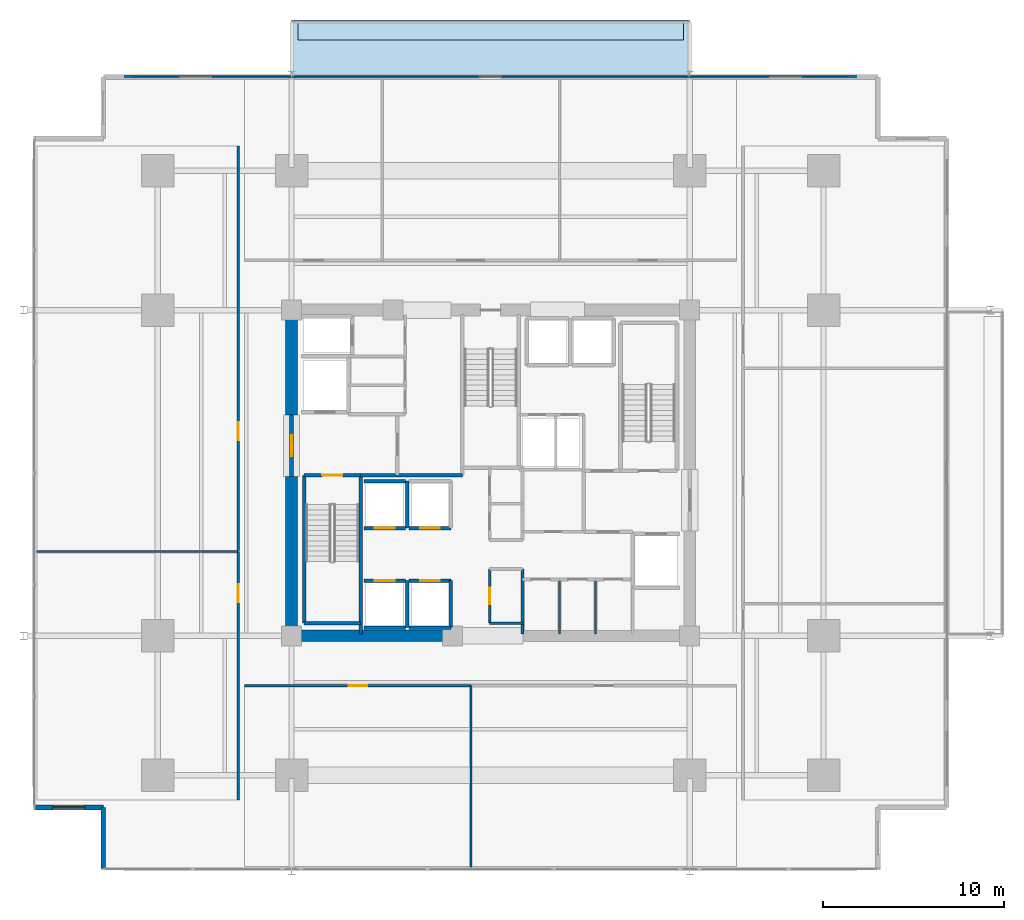
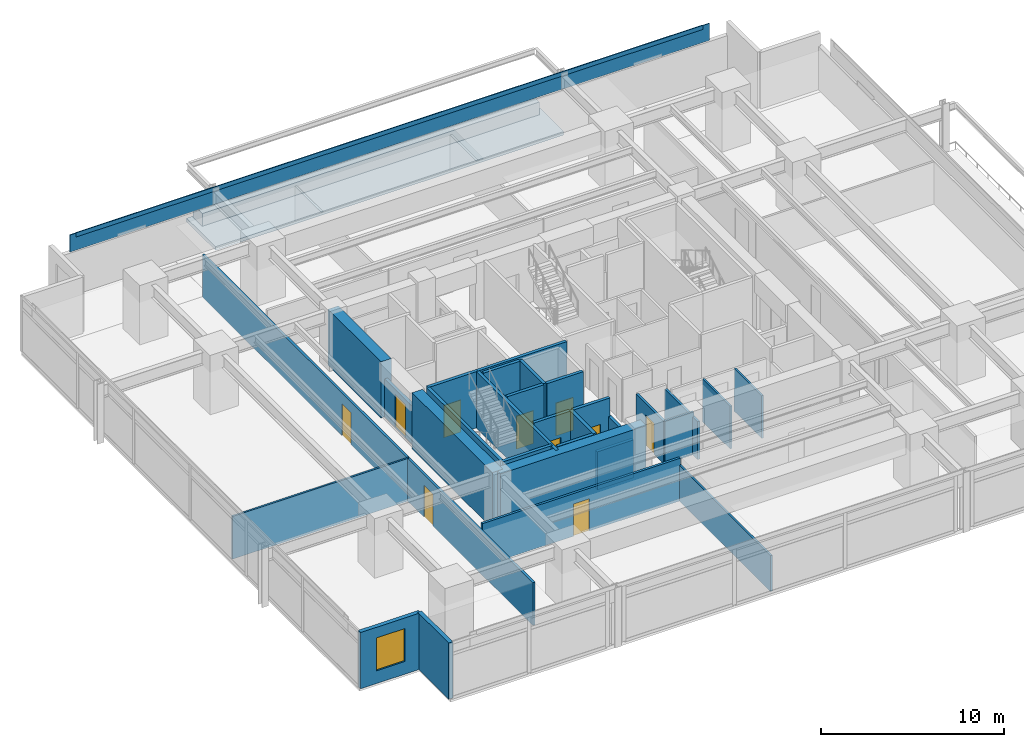
# One storey, part 13 of 20: 31 walls, 10 doors, 2 plates, 2 slabs, 1 window, 11 openings.
"""IFC4 building model written with IfcOpenShell, lengths in metres."""

from ifc_helpers import new_model, si_unit, direction, frame, frame_2d, origin, origin_2d, place, context, subcontext, project, spatial, polyline, rectangle, outline, extrude, material, layer, layer_set, type_object, element, fill, save


model = new_model("IFC4")

# Units and contexts
model_context = context("Model", 3, precision=1e-05, world=origin(), true_north=direction((0.0, 1.0)))
body_context = subcontext(model_context, "Body", "Model", "MODEL_VIEW")
ifc_project = project(units=[si_unit("LENGTHUNIT", "METRE"), si_unit("AREAUNIT", "SQUARE_METRE"), si_unit("VOLUMEUNIT", "CUBIC_METRE"), si_unit("PLANEANGLEUNIT", "RADIAN"), si_unit("MASSUNIT", "GRAM", prefix="KILO")], contexts=[model_context])

# Site, building, storey
site_placement = place(None, origin())
site = spatial("IfcSite", under=ifc_project, at=site_placement, CompositionType="ELEMENT")
building_placement = place(site_placement, origin())
building = spatial("IfcBuilding", under=site, at=building_placement, Name="Kovane Verandah Tower", CompositionType="ELEMENT")
storey_placement = place(building_placement, frame((0.0, 0.0, 39.60009765625)))
storey = spatial("IfcBuildingStorey", under=building, at=storey_placement, Name="L08", CompositionType="ELEMENT", Elevation=39.60009765625)

# Plates
ifc_material_1 = material(Name="Perforated Pale Champagne Anodised Aluminium Solar Screen", Category="aluminium")
ifc_layer_1 = layer(ifc_material_1, 0.050048828125)
ifc_layer_set_1 = layer_set([ifc_layer_1], Name="Perforated Pale Champagne Anodised Aluminium Solar Screen")
plate_type_1 = type_object("IfcPlateType", Name="PL-SCREEN-50", PredefinedType="USERDEFINED", material=ifc_layer_set_1)
plate_1_placement = place(storey_placement, frame((40.0, 49.397216796875, 2.85986328125), z_axis=(0.0, 0.0, 1.0), x_axis=(-1.0, 0.0, 0.0)))
element("IfcPlate", 1, at=plate_1_placement, inside=storey, type_object=plate_type_1, Name="L08 N Perforated Champagne-Gold Solar Screen", ObjectType="SCREEN", PredefinedType="USERDEFINED", context=body_context, shape_type="SweptSolid", body=[
    extrude(rectangle(XDim=40.406005859375, YDim=0.050048828125, at=origin_2d()), origin(), (0.0, 0.0, 1.0), 1.14990234375),
])
ifc_material_2 = material(Name="Extruded Pale-Bronze Aluminium Aerofoil Sunshade", Category="aluminium")
ifc_layer_2 = layer(ifc_material_2, 0.06005859375)
ifc_layer_set_2 = layer_set([ifc_layer_2], Name="Extruded Pale-Bronze Aluminium Aerofoil Sunshade")
plate_type_2 = type_object("IfcPlateType", Name="PL-SUNSHADE-60", PredefinedType="USERDEFINED", material=ifc_layer_set_2)
plate_2_placement = place(storey_placement, frame((40.0, 49.402099609375, 3.73974609375), z_axis=(0.0, 0.0, 1.0), x_axis=(-1.0, 0.0, 0.0)))
element("IfcPlate", 2, at=plate_2_placement, inside=storey, type_object=plate_type_2, Name="L08 N Subtropical Aerofoil Sunshade", ObjectType="SUNSHADE", PredefinedType="USERDEFINED", context=body_context, shape_type="SweptSolid", body=[
    extrude(rectangle(XDim=39.60595703125, YDim=0.06005859375, at=origin_2d()), origin(), (0.0, 0.0, 1.0), 0.280029296875),
])

# Slabs
ifc_material_3 = material(Name="Concrete C45/55", Category="concrete")
ifc_layer_3 = layer(ifc_material_3, 0.239990234375)
ifc_layer_set_3 = layer_set([ifc_layer_3], Name="Concrete C45/55")
slab_type_1 = type_object("IfcSlabType", Name="SL-BALC-240", PredefinedType="FLOOR", material=ifc_layer_set_3)
slab_1_placement = place(storey_placement, frame((0.0, 0.0, -0.239990234375)))
element("IfcSlab", 3, at=slab_1_placement, inside=storey, type_object=slab_type_1, Name="L08 N Planted Verandah Balcony Slab", PredefinedType="FLOOR", context=body_context, shape_type="SweptSolid", body=[
    extrude(outline(polyline([(29.0, 49.382080078125), (51.0, 49.382080078125), (51.0, 52.5322265625), (29.0, 52.5322265625), (29.0, 49.382080078125)])), origin(), (0.0, 0.0, 1.0), 0.239990234375),
])
ifc_material_4 = material(Name="Architectural Precast Concrete C45/55 Planter Trough", Category="concrete")
ifc_layer_4 = layer(ifc_material_4, 0.219970703125)
ifc_layer_set_4 = layer_set([ifc_layer_4], Name="Architectural Precast Concrete C45/55 Planter Trough")
slab_type_2 = type_object("IfcSlabType", Name="SL-PLANTER-220", PredefinedType="USERDEFINED", material=ifc_layer_set_4)
slab_2_placement = place(storey_placement, origin())
element("IfcSlab", 4, at=slab_2_placement, inside=storey, type_object=slab_type_2, Name="L08 N Structural Tree Planter", ObjectType="PLANTER", PredefinedType="USERDEFINED", context=body_context, shape_type="SweptSolid", body=[
    extrude(outline(polyline([(29.35009765625, 51.43212890625), (50.64990234375, 51.43212890625), (50.64990234375, 52.43212890625), (29.35009765625, 52.43212890625), (29.35009765625, 51.43212890625)])), origin(), (0.0, 0.0, 1.0), 0.849853515625),
])

# Walls
ifc_material_5 = material(Name="Fire-Rated Gypsum Stud Partition", Category="gypsum")
ifc_layer_5 = layer(ifc_material_5, 0.14990234375)
ifc_layer_set_5 = layer_set([ifc_layer_5], Name="Fire-Rated Gypsum Stud Partition")
wall_type_1 = type_object("IfcWallType", Name="WL-COR-150", PredefinedType="PARTITIONING", material=ifc_layer_set_5)
wall_1_placement = place(storey_placement, frame((39.949951171875, 19.199951171875, 0.0), z_axis=(0.0, 0.0, 1.0), x_axis=(1.0, 0.0, 0.0)))
element("IfcWall", 5, at=wall_1_placement, inside=storey, type_object=wall_type_1, Name="L08 Central Core Strip South Wall", PredefinedType="PARTITIONING", context=body_context, shape_type="SweptSolid", body=[
    extrude(rectangle(XDim=1.81005859375, YDim=0.14990234375, at=frame_2d((0.905029296875, 0.0))), origin(), (0.0, 0.0, 1.0), 2.849853515625),
])
wall_2_placement = place(storey_placement, frame((41.760009765625, 18.60009765625, 0.0), z_axis=(0.0, 0.0, 1.0), x_axis=(0.0, 1.0, 0.0)))
element("IfcWall", 6, at=wall_2_placement, inside=storey, type_object=wall_type_1, Name="L08 Central Core Strip Lower East Wall", PredefinedType="PARTITIONING", context=body_context, shape_type="SweptSolid", body=[
    extrude(rectangle(XDim=3.599853515625, YDim=0.14990234375, at=frame_2d((1.7998046875, 0.0))), origin(), (0.0, 0.0, 1.0), 2.539794921875),
])

# Wall, opening, door
wall_3_placement = place(storey_placement, frame((39.949951171875, 19.199951171875, 0.0), z_axis=(0.0, 0.0, 1.0), x_axis=(0.0, 1.0, 0.0)))
wall_3 = element("IfcWall", 7, at=wall_3_placement, inside=storey, type_object=wall_type_1, Name="L08 Male Toilet Partition", PredefinedType="PARTITIONING", context=body_context, shape_type="SweptSolid", body=[
    extrude(rectangle(XDim=3.0, YDim=0.14990234375, at=frame_2d((1.5, 0.0))), origin(), (0.0, 0.0, 1.0), 2.849853515625),
])
opening_1_placement = place(wall_3_placement, frame((1.050048828125, 0.0, 0.0)))
opening_1 = element("IfcOpeningElement", 8, at=opening_1_placement, cuts=wall_3, Name="Opening DR-L08-030", PredefinedType="OPENING", context=body_context, shape_type="SweptSolid", body=[
    extrude(rectangle(XDim=0.89990234375, YDim=2.10009765625, at=frame_2d((0.449951171875, 1.050048828125))), frame((0.0, 0.074951171875, 0.0), z_axis=(0.0, -1.0, 0.0), x_axis=(1.0, 0.0, 0.0)), (0.0, 0.0, 1.0), 0.14990234375),
])
ifc_material_6 = material(Name="Moisture-Resistant Laminate Washroom Door", Category="wood")
door_type_1 = type_object("IfcDoorType", Name="DR-WC-900", OperationType="SINGLE_SWING_LEFT", PredefinedType="DOOR", material=ifc_material_6)
door_1_placement = place(opening_1_placement, origin())
door_1 = element("IfcDoor", 9, at=door_1_placement, inside=storey, type_object=door_type_1, Name="L08 Male Toilet Door", OperationType="SINGLE_SWING_RIGHT", OverallHeight=2.10009765625, OverallWidth=0.89990234375, PredefinedType="DOOR", context=body_context, shape_type="SweptSolid", body=[
    extrude(rectangle(XDim=0.89990234375, YDim=2.10009765625, at=frame_2d((0.449951171875, 1.050048828125))), frame((0.0, 0.02490234375, 0.0), z_axis=(0.0, -1.0, 0.0), x_axis=(1.0, 0.0, 0.0)), (0.0, 0.0, 1.0), 0.050048828125),
])
fill(opening_1, door_1)

wall_4_placement = place(storey_placement, frame((26.39990234375, 15.75, 0.0), z_axis=(0.0, 0.0, 1.0), x_axis=(1.0, 0.0, 0.0)))
wall_4 = element("IfcWall", 10, at=wall_4_placement, inside=storey, type_object=wall_type_1, Name="L08 Focus Studio S1 Corridor Partition", PredefinedType="PARTITIONING", context=body_context, shape_type="SweptSolid", body=[
    extrude(rectangle(XDim=12.51220703125, YDim=0.14990234375, at=frame_2d((6.256103515625, 0.0))), origin(), (0.0, 0.0, 1.0), 2.849853515625),
])
opening_2_placement = place(wall_4_placement, frame((5.77099609375, 0.0, 0.0)))
opening_2 = element("IfcOpeningElement", 11, at=opening_2_placement, cuts=wall_4, Name="Opening DR-L08-025", PredefinedType="OPENING", context=body_context, shape_type="SweptSolid", body=[
    extrude(rectangle(XDim=1.0, YDim=2.14990234375, at=frame_2d((0.5, 1.074951171875))), frame((0.0, 0.074951171875, 0.0), z_axis=(0.0, -1.0, 0.0), x_axis=(1.0, 0.0, 0.0)), (0.0, 0.0, 1.0), 0.14990234375),
])
ifc_material_7 = material(Name="FSC Spotted-Gum Timber Fire-Rated Office Door", Category="wood")
door_type_2 = type_object("IfcDoorType", Name="DR-OFF-1000", OperationType="SINGLE_SWING_LEFT", PredefinedType="DOOR", material=ifc_material_7)
door_2_placement = place(opening_2_placement, origin())
door_2 = element("IfcDoor", 12, at=door_2_placement, inside=storey, type_object=door_type_2, Name="L08 Focus Studio S1 Entrance Door", OperationType="SINGLE_SWING_LEFT", OverallHeight=2.14990234375, OverallWidth=1.0, PredefinedType="DOOR", context=body_context, shape_type="SweptSolid", body=[
    extrude(rectangle(XDim=1.0, YDim=2.14990234375, at=frame_2d((0.5, 1.074951171875))), frame((0.0, 0.02490234375, 0.0), z_axis=(0.0, -1.0, 0.0), x_axis=(1.0, 0.0, 0.0)), (0.0, 0.0, 1.0), 0.050048828125),
])
fill(opening_2, door_2)

wall_5_placement = place(storey_placement, frame((26.050048828125, 9.417724609375, 0.0), z_axis=(0.0, 0.0, 1.0), x_axis=(0.0, 1.0, 0.0)))
wall_5 = element("IfcWall", 13, at=wall_5_placement, inside=storey, type_object=wall_type_1, Name="L08 Collaboration Hub W1 Corridor Partition", PredefinedType="PARTITIONING", context=body_context, shape_type="SweptSolid", body=[
    extrude(rectangle(XDim=13.74267578125, YDim=0.14990234375, at=frame_2d((6.871337890625, 0.0))), origin(), (0.0, 0.0, 1.0), 2.849853515625),
])
opening_3_placement = place(wall_5_placement, frame((10.927490234375, 0.0, 0.0)))
opening_3 = element("IfcOpeningElement", 14, at=opening_3_placement, cuts=wall_5, Name="Opening DR-L08-031", PredefinedType="OPENING", context=body_context, shape_type="SweptSolid", body=[
    extrude(rectangle(XDim=1.0, YDim=2.14990234375, at=frame_2d((0.5, 1.074951171875))), frame((0.0, 0.074951171875, 0.0), z_axis=(0.0, -1.0, 0.0), x_axis=(1.0, 0.0, 0.0)), (0.0, 0.0, 1.0), 0.14990234375),
])
door_3_placement = place(opening_3_placement, origin())
door_3 = element("IfcDoor", 15, at=door_3_placement, inside=storey, type_object=door_type_2, Name="L08 Collaboration Hub W1 Entrance Door", OperationType="SINGLE_SWING_LEFT", OverallHeight=2.14990234375, OverallWidth=1.0, PredefinedType="DOOR", context=body_context, shape_type="SweptSolid", body=[
    extrude(rectangle(XDim=1.0, YDim=2.14990234375, at=frame_2d((0.5, 1.074951171875))), frame((0.0, 0.02490234375, 0.0), z_axis=(0.0, -1.0, 0.0), x_axis=(1.0, 0.0, 0.0)), (0.0, 0.0, 1.0), 0.050048828125),
])
fill(opening_3, door_3)

wall_6_placement = place(storey_placement, frame((26.050048828125, 23.230224609375, 0.0), z_axis=(0.0, 0.0, 1.0), x_axis=(0.0, 1.0, 0.0)))
wall_6 = element("IfcWall", 16, at=wall_6_placement, inside=storey, type_object=wall_type_1, Name="L08 Document and Print Room W2 Corridor Partition", PredefinedType="PARTITIONING", context=body_context, shape_type="SweptSolid", body=[
    extrude(rectangle(XDim=22.35205078125, YDim=0.14990234375, at=frame_2d((11.176025390625, 0.0))), origin(), (0.0, 0.0, 1.0), 2.849853515625),
])
opening_4_placement = place(wall_6_placement, frame((6.084716796875, 0.0, 0.0)))
opening_4 = element("IfcOpeningElement", 17, at=opening_4_placement, cuts=wall_6, Name="Opening DR-L08-032", PredefinedType="OPENING", context=body_context, shape_type="SweptSolid", body=[
    extrude(rectangle(XDim=1.0, YDim=2.14990234375, at=frame_2d((0.5, 1.074951171875))), frame((0.0, 0.074951171875, 0.0), z_axis=(0.0, -1.0, 0.0), x_axis=(1.0, 0.0, 0.0)), (0.0, 0.0, 1.0), 0.14990234375),
])
door_4_placement = place(opening_4_placement, origin())
door_4 = element("IfcDoor", 18, at=door_4_placement, inside=storey, type_object=door_type_2, Name="L08 Document and Print Room W2 Entrance Door", OperationType="SINGLE_SWING_RIGHT", OverallHeight=2.14990234375, OverallWidth=1.0, PredefinedType="DOOR", context=body_context, shape_type="SweptSolid", body=[
    extrude(rectangle(XDim=1.0, YDim=2.14990234375, at=frame_2d((0.5, 1.074951171875))), frame((0.0, 0.02490234375, 0.0), z_axis=(0.0, -1.0, 0.0), x_axis=(1.0, 0.0, 0.0)), (0.0, 0.0, 1.0), 0.050048828125),
])
fill(opening_4, door_4)

# Walls
ifc_material_8 = material(Name="Concrete C80/95", Category="concrete")
ifc_layer_6 = layer(ifc_material_8, 0.64990234375)
ifc_layer_set_6 = layer_set([ifc_layer_6], Name="Concrete C80/95")
wall_type_2 = type_object("IfcWallType", Name="WL-CORE-650", PredefinedType="SHEAR", material=ifc_layer_set_6)
wall_7_placement = place(storey_placement, frame((29.0, 18.5, 0.0), z_axis=(0.0, 0.0, 1.0), x_axis=(1.0, 0.0, 0.0)))
element("IfcWall", 19, at=wall_7_placement, inside=storey, type_object=wall_type_2, Name="L08 Core Shear Wall CS-1", PredefinedType="SHEAR", context=body_context, shape_type="SweptSolid", body=[
    extrude(rectangle(XDim=9.199951171875, YDim=0.64990234375, at=frame_2d((4.60009765625, 0.0))), origin(), (0.0, 0.0, 1.0), 3.760009765625),
])
wall_8_placement = place(storey_placement, frame((29.0, 18.5, 0.0), z_axis=(0.0, 0.0, 1.0), x_axis=(0.0, 1.0, 0.0)))
element("IfcWall", 20, at=wall_8_placement, inside=storey, type_object=wall_type_2, Name="L08 Core Shear Wall CW-1", PredefinedType="SHEAR", context=body_context, shape_type="SweptSolid", body=[
    extrude(rectangle(XDim=8.800048828125, YDim=0.64990234375, at=frame_2d((4.39990234375, 0.0))), origin(), (0.0, 0.0, 1.0), 3.760009765625),
])
wall_9_placement = place(storey_placement, frame((29.0, 30.699951171875, 0.0), z_axis=(0.0, 0.0, 1.0), x_axis=(0.0, 1.0, 0.0)))
element("IfcWall", 21, at=wall_9_placement, inside=storey, type_object=wall_type_2, Name="L08 Core Shear Wall CW-2", PredefinedType="SHEAR", context=body_context, shape_type="SweptSolid", body=[
    extrude(rectangle(XDim=5.800048828125, YDim=0.64990234375, at=frame_2d((2.89990234375, 0.0))), origin(), (0.0, 0.0, 1.0), 3.760009765625),
])

# Wall, opening, door
ifc_material_9 = material(Name="Concrete C45/55 Fire Wall", Category="concrete")
ifc_layer_7 = layer(ifc_material_9, 0.199951171875)
ifc_layer_set_7 = layer_set([ifc_layer_7], Name="Concrete C45/55 Fire Wall")
wall_type_3 = type_object("IfcWallType", Name="WL-FFL-200", PredefinedType="PARTITIONING", material=ifc_layer_set_7)
wall_10_placement = place(storey_placement, frame((29.0, 27.300048828125, 0.0), z_axis=(0.0, 0.0, 1.0), x_axis=(0.0, 1.0, 0.0)))
wall_10 = element("IfcWall", 22, at=wall_10_placement, inside=storey, type_object=wall_type_3, Name="W-L08-FFLW-OUT", PredefinedType="PARTITIONING", context=body_context, shape_type="SweptSolid", body=[
    extrude(rectangle(XDim=3.39990234375, YDim=0.199951171875, at=frame_2d((1.699951171875, 0.0))), origin(), (0.0, 0.0, 1.0), 2.539794921875),
])
opening_5_placement = place(wall_10_placement, frame((1.125, 0.0, 0.0)))
opening_5 = element("IfcOpeningElement", 23, at=opening_5_placement, cuts=wall_10, Name="Opening DR-L08-007", PredefinedType="OPENING", context=body_context, shape_type="SweptSolid", body=[
    extrude(rectangle(XDim=1.14990234375, YDim=2.199951171875, at=frame_2d((0.574951171875, 1.10009765625))), frame((0.0, 0.10009765625, 0.0), z_axis=(0.0, -1.0, 0.0), x_axis=(1.0, 0.0, 0.0)), (0.0, 0.0, 1.0), 0.199951171875),
])
ifc_material_10 = material(Name="Smoke-Sealed Firefighting Lobby Door", Category="steel")
door_type_3 = type_object("IfcDoorType", Name="DR-FFL-1150", OperationType="SINGLE_SWING_LEFT", PredefinedType="DOOR", material=ifc_material_10)
door_5_placement = place(opening_5_placement, origin())
door_5 = element("IfcDoor", 24, at=door_5_placement, inside=storey, type_object=door_type_3, Name="L08 West Firefighting Lobby Corridor Door", OperationType="SINGLE_SWING_RIGHT", OverallHeight=2.199951171875, OverallWidth=1.14990234375, PredefinedType="DOOR", context=body_context, shape_type="SweptSolid", body=[
    extrude(rectangle(XDim=1.14990234375, YDim=2.199951171875, at=frame_2d((0.574951171875, 1.10009765625))), frame((0.0, 0.02490234375, 0.0), z_axis=(0.0, -1.0, 0.0), x_axis=(1.0, 0.0, 0.0)), (0.0, 0.0, 1.0), 0.050048828125),
])
fill(opening_5, door_5)

# Walls
wall_11_placement = place(storey_placement, frame((32.820068359375, 27.3798828125, 0.0), z_axis=(0.0, 0.0, 1.0), x_axis=(1.0, 0.0, 0.0)))
element("IfcWall", 25, at=wall_11_placement, inside=storey, type_object=wall_type_3, Name="L08 West Firefighting Lobby South Fire Wall", PredefinedType="PARTITIONING", context=body_context, shape_type="SweptSolid", body=[
    extrude(rectangle(XDim=5.619873046875, YDim=0.199951171875, at=frame_2d((2.81005859375, 0.0))), origin(), (0.0, 0.0, 1.0), 3.760009765625),
])
ifc_material_11 = material(Name="Concrete C45/55 Lift Shaft Wall", Category="concrete")
ifc_layer_8 = layer(ifc_material_11, 0.199951171875)
ifc_layer_set_8 = layer_set([ifc_layer_8], Name="Concrete C45/55 Lift Shaft Wall")
wall_type_4 = type_object("IfcWallType", Name="WL-LIFT-200", PredefinedType="SOLIDWALL", material=ifc_layer_set_8)
wall_12_placement = place(storey_placement, frame((33.0, 18.949951171875, 0.0), z_axis=(0.0, 0.0, 1.0), x_axis=(1.0, 0.0, 0.0)))
element("IfcWall", 26, at=wall_12_placement, inside=storey, type_object=wall_type_4, Name="L08 Lift PL-L1 S Shaft Wall", PredefinedType="SOLIDWALL", context=body_context, shape_type="SweptSolid", body=[
    extrude(rectangle(XDim=2.300048828125, YDim=0.199951171875, at=frame_2d((1.14990234375, 0.0))), origin(), (0.0, 0.0, 1.0), 3.760009765625),
])

# Wall, opening, door
wall_13_placement = place(storey_placement, frame((35.300048828125, 21.550048828125, 0.0), z_axis=(0.0, 0.0, 1.0), x_axis=(-1.0, 0.0, 0.0)))
wall_13 = element("IfcWall", 27, at=wall_13_placement, inside=storey, type_object=wall_type_4, Name="L08 Lift PL-L1 N Shaft Wall", PredefinedType="SOLIDWALL", context=body_context, shape_type="SweptSolid", body=[
    extrude(rectangle(XDim=2.300048828125, YDim=0.199951171875, at=frame_2d((1.14990234375, 0.0))), origin(), (0.0, 0.0, 1.0), 3.760009765625),
])
opening_6_placement = place(wall_13_placement, frame((0.60009765625, 0.0, 0.0)))
opening_6 = element("IfcOpeningElement", 28, at=opening_6_placement, cuts=wall_13, Name="Opening LD-L08-004", PredefinedType="OPENING", context=body_context, shape_type="SweptSolid", body=[
    extrude(rectangle(XDim=1.10009765625, YDim=2.199951171875, at=frame_2d((0.550048828125, 1.10009765625))), frame((0.0, 0.10009765625, 0.0), z_axis=(0.0, -1.0, 0.0), x_axis=(1.0, 0.0, 0.0)), (0.0, 0.0, 1.0), 0.199951171875),
])
ifc_material_12 = material(Name="Brushed Stainless Steel Sliding Lift Landing Door", Category="steel")
door_type_4 = type_object("IfcDoorType", Name="DR-LIFT-1100", OperationType="SLIDING_TO_RIGHT", PredefinedType="DOOR", material=ifc_material_12)
door_6_placement = place(opening_6_placement, origin())
door_6 = element("IfcDoor", 29, at=door_6_placement, inside=storey, type_object=door_type_4, Name="L08 Lift PL-L1 Sliding Landing Door", OperationType="SLIDING_TO_RIGHT", OverallHeight=2.199951171875, OverallWidth=1.10009765625, PredefinedType="DOOR", context=body_context, shape_type="SweptSolid", body=[
    extrude(rectangle(XDim=1.10009765625, YDim=2.199951171875, at=frame_2d((0.550048828125, 1.10009765625))), frame((0.0, 0.02490234375, 0.0), z_axis=(0.0, -1.0, 0.0), x_axis=(1.0, 0.0, 0.0)), (0.0, 0.0, 1.0), 0.050048828125),
])
fill(opening_6, door_6)

# Walls
wall_14_placement = place(storey_placement, frame((35.39990234375, 18.949951171875, 0.0), z_axis=(0.0, 0.0, 1.0), x_axis=(0.0, 1.0, 0.0)))
element("IfcWall", 30, at=wall_14_placement, inside=storey, type_object=wall_type_4, Name="L08 Lift PL-L1 and PL-L2 Shared Shaft Wall", PredefinedType="SOLIDWALL", context=body_context, shape_type="SweptSolid", body=[
    extrude(rectangle(XDim=2.60009765625, YDim=0.199951171875, at=frame_2d((1.300048828125, 0.0))), origin(), (0.0, 0.0, 1.0), 3.760009765625),
])
wall_15_placement = place(storey_placement, frame((35.5, 18.949951171875, 0.0), z_axis=(0.0, 0.0, 1.0), x_axis=(1.0, 0.0, 0.0)))
element("IfcWall", 31, at=wall_15_placement, inside=storey, type_object=wall_type_4, Name="L08 Lift PL-L2 S Shaft Wall", PredefinedType="SOLIDWALL", context=body_context, shape_type="SweptSolid", body=[
    extrude(rectangle(XDim=2.300048828125, YDim=0.199951171875, at=frame_2d((1.14990234375, 0.0))), origin(), (0.0, 0.0, 1.0), 2.539794921875),
])

# Wall, opening, door
wall_16_placement = place(storey_placement, frame((37.800048828125, 21.550048828125, 0.0), z_axis=(0.0, 0.0, 1.0), x_axis=(-1.0, 0.0, 0.0)))
wall_16 = element("IfcWall", 32, at=wall_16_placement, inside=storey, type_object=wall_type_4, Name="L08 Lift PL-L2 N Shaft Wall", PredefinedType="SOLIDWALL", context=body_context, shape_type="SweptSolid", body=[
    extrude(rectangle(XDim=2.300048828125, YDim=0.199951171875, at=frame_2d((1.14990234375, 0.0))), origin(), (0.0, 0.0, 1.0), 3.760009765625),
])
opening_7_placement = place(wall_16_placement, frame((0.60009765625, 0.0, 0.0)))
opening_7 = element("IfcOpeningElement", 33, at=opening_7_placement, cuts=wall_16, Name="Opening LD-L08-005", PredefinedType="OPENING", context=body_context, shape_type="SweptSolid", body=[
    extrude(rectangle(XDim=1.10009765625, YDim=2.199951171875, at=frame_2d((0.550048828125, 1.10009765625))), frame((0.0, 0.10009765625, 0.0), z_axis=(0.0, -1.0, 0.0), x_axis=(1.0, 0.0, 0.0)), (0.0, 0.0, 1.0), 0.199951171875),
])
door_7_placement = place(opening_7_placement, origin())
door_7 = element("IfcDoor", 34, at=door_7_placement, inside=storey, type_object=door_type_4, Name="L08 Lift PL-L2 Sliding Landing Door", OperationType="SLIDING_TO_RIGHT", OverallHeight=2.199951171875, OverallWidth=1.10009765625, PredefinedType="DOOR", context=body_context, shape_type="SweptSolid", body=[
    extrude(rectangle(XDim=1.10009765625, YDim=2.199951171875, at=frame_2d((0.550048828125, 1.10009765625))), frame((0.0, 0.02490234375, 0.0), z_axis=(0.0, -1.0, 0.0), x_axis=(1.0, 0.0, 0.0)), (0.0, 0.0, 1.0), 0.050048828125),
])
fill(opening_7, door_7)

# Wall
wall_17_placement = place(storey_placement, frame((37.800048828125, 18.949951171875, 0.0), z_axis=(0.0, 0.0, 1.0), x_axis=(0.0, 1.0, 0.0)))
element("IfcWall", 35, at=wall_17_placement, inside=storey, type_object=wall_type_4, Name="L08 Lift PL-L2 E Shaft Wall", PredefinedType="SOLIDWALL", context=body_context, shape_type="SweptSolid", body=[
    extrude(rectangle(XDim=2.60009765625, YDim=0.199951171875, at=frame_2d((1.300048828125, 0.0))), origin(), (0.0, 0.0, 1.0), 2.539794921875),
])

# Wall, opening, door
wall_18_placement = place(storey_placement, frame((33.0, 24.449951171875, 0.0), z_axis=(0.0, 0.0, 1.0), x_axis=(1.0, 0.0, 0.0)))
wall_18 = element("IfcWall", 36, at=wall_18_placement, inside=storey, type_object=wall_type_4, Name="L08 Lift PL-L3 S Shaft Wall", PredefinedType="SOLIDWALL", context=body_context, shape_type="SweptSolid", body=[
    extrude(rectangle(XDim=2.300048828125, YDim=0.199951171875, at=frame_2d((1.14990234375, 0.0))), origin(), (0.0, 0.0, 1.0), 3.760009765625),
])
opening_8_placement = place(wall_18_placement, frame((0.60009765625, 0.0, 0.0)))
opening_8 = element("IfcOpeningElement", 37, at=opening_8_placement, cuts=wall_18, Name="Opening LD-L08-006", PredefinedType="OPENING", context=body_context, shape_type="SweptSolid", body=[
    extrude(rectangle(XDim=1.10009765625, YDim=2.199951171875, at=frame_2d((0.550048828125, 1.10009765625))), frame((0.0, 0.10009765625, 0.0), z_axis=(0.0, -1.0, 0.0), x_axis=(1.0, 0.0, 0.0)), (0.0, 0.0, 1.0), 0.199951171875),
])
door_8_placement = place(opening_8_placement, origin())
door_8 = element("IfcDoor", 38, at=door_8_placement, inside=storey, type_object=door_type_4, Name="L08 Lift PL-L3 Sliding Landing Door", OperationType="SLIDING_TO_RIGHT", OverallHeight=2.199951171875, OverallWidth=1.10009765625, PredefinedType="DOOR", context=body_context, shape_type="SweptSolid", body=[
    extrude(rectangle(XDim=1.10009765625, YDim=2.199951171875, at=frame_2d((0.550048828125, 1.10009765625))), frame((0.0, 0.02490234375, 0.0), z_axis=(0.0, -1.0, 0.0), x_axis=(1.0, 0.0, 0.0)), (0.0, 0.0, 1.0), 0.050048828125),
])
fill(opening_8, door_8)

# Walls
wall_19_placement = place(storey_placement, frame((35.300048828125, 27.050048828125, 0.0), z_axis=(0.0, 0.0, 1.0), x_axis=(-1.0, 0.0, 0.0)))
element("IfcWall", 39, at=wall_19_placement, inside=storey, type_object=wall_type_4, Name="L08 Lift PL-L3 N Shaft Wall", PredefinedType="SOLIDWALL", context=body_context, shape_type="SweptSolid", body=[
    extrude(rectangle(XDim=2.300048828125, YDim=0.199951171875, at=frame_2d((1.14990234375, 0.0))), origin(), (0.0, 0.0, 1.0), 3.760009765625),
])
wall_20_placement = place(storey_placement, frame((35.39990234375, 24.449951171875, 0.0), z_axis=(0.0, 0.0, 1.0), x_axis=(0.0, 1.0, 0.0)))
element("IfcWall", 40, at=wall_20_placement, inside=storey, type_object=wall_type_4, Name="L08 Lift PL-L3 and PL-L4 Shared Shaft Wall", PredefinedType="SOLIDWALL", context=body_context, shape_type="SweptSolid", body=[
    extrude(rectangle(XDim=2.60009765625, YDim=0.199951171875, at=frame_2d((1.300048828125, 0.0))), origin(), (0.0, 0.0, 1.0), 3.760009765625),
])

# Wall, opening, door
wall_21_placement = place(storey_placement, frame((35.5, 24.449951171875, 0.0), z_axis=(0.0, 0.0, 1.0), x_axis=(1.0, 0.0, 0.0)))
wall_21 = element("IfcWall", 41, at=wall_21_placement, inside=storey, type_object=wall_type_4, Name="L08 Lift PL-L4 S Shaft Wall", PredefinedType="SOLIDWALL", context=body_context, shape_type="SweptSolid", body=[
    extrude(rectangle(XDim=2.300048828125, YDim=0.199951171875, at=frame_2d((1.14990234375, 0.0))), origin(), (0.0, 0.0, 1.0), 3.760009765625),
])
opening_9_placement = place(wall_21_placement, frame((0.60009765625, 0.0, 0.0)))
opening_9 = element("IfcOpeningElement", 42, at=opening_9_placement, cuts=wall_21, Name="Opening LD-L08-007", PredefinedType="OPENING", context=body_context, shape_type="SweptSolid", body=[
    extrude(rectangle(XDim=1.10009765625, YDim=2.199951171875, at=frame_2d((0.550048828125, 1.10009765625))), frame((0.0, 0.10009765625, 0.0), z_axis=(0.0, -1.0, 0.0), x_axis=(1.0, 0.0, 0.0)), (0.0, 0.0, 1.0), 0.199951171875),
])
door_9_placement = place(opening_9_placement, origin())
door_9 = element("IfcDoor", 43, at=door_9_placement, inside=storey, type_object=door_type_4, Name="L08 Lift PL-L4 Sliding Landing Door", OperationType="SLIDING_TO_RIGHT", OverallHeight=2.199951171875, OverallWidth=1.10009765625, PredefinedType="DOOR", context=body_context, shape_type="SweptSolid", body=[
    extrude(rectangle(XDim=1.10009765625, YDim=2.199951171875, at=frame_2d((0.550048828125, 1.10009765625))), frame((0.0, 0.02490234375, 0.0), z_axis=(0.0, -1.0, 0.0), x_axis=(1.0, 0.0, 0.0)), (0.0, 0.0, 1.0), 0.050048828125),
])
fill(opening_9, door_9)

# Walls
ifc_material_13 = material(Name="Acoustic Fire-Rated Gypsum Partition", Category="gypsum")
ifc_layer_9 = layer(ifc_material_13, 0.1201171875)
ifc_layer_set_9 = layer_set([ifc_layer_9], Name="Acoustic Fire-Rated Gypsum Partition")
wall_type_5 = type_object("IfcWallType", Name="WL-PART-120", PredefinedType="PARTITIONING", material=ifc_layer_set_9)
for number, where, z_axis, x_axis, name in (
    (44, (43.800048828125, 18.60009765625, 0.0), (0.0, 0.0, 1.0), (0.0, 1.0, 0.0), "L08 East Core Support Dividing Partition 1"),
    (45, (45.800048828125, 18.60009765625, 0.0), (0.0, 0.0, 1.0), (0.0, 1.0, 0.0), "L08 East Core Support Dividing Partition 2"),
):
    element("IfcWall", number, at=place(storey_placement, frame(where, z_axis=z_axis, x_axis=x_axis)), inside=storey, type_object=wall_type_5, Name=name, PredefinedType="PARTITIONING", context=body_context, shape_type="SweptSolid", body=[
        extrude(rectangle(XDim=3.02001953125, YDim=0.1201171875, at=frame_2d((1.510009765625, 0.0))), origin(), (0.0, 0.0, 1.0), 2.849853515625),
    ])
wall_22_placement = place(storey_placement, frame((38.912109375, 5.7177734375, 0.0), z_axis=(0.0, 0.0, 1.0), x_axis=(0.0, 1.0, 0.0)))
element("IfcWall", 46, at=wall_22_placement, inside=storey, type_object=wall_type_5, Name="L08 Focus Studio S1 Dividing Partition", PredefinedType="PARTITIONING", context=body_context, shape_type="SweptSolid", body=[
    extrude(rectangle(XDim=10.0322265625, YDim=0.1201171875, at=frame_2d((5.01611328125, 0.0))), origin(), (0.0, 0.0, 1.0), 2.389892578125),
])
wall_23_placement = place(storey_placement, frame((14.896728515625, 23.160400390625, 0.0), z_axis=(0.0, 0.0, 1.0), x_axis=(1.0, 0.0, 0.0)))
element("IfcWall", 47, at=wall_23_placement, inside=storey, type_object=wall_type_5, Name="L08 Collaboration Hub W1 Dividing Partition", PredefinedType="PARTITIONING", context=body_context, shape_type="SweptSolid", body=[
    extrude(rectangle(XDim=11.1533203125, YDim=0.1201171875, at=frame_2d((5.57666015625, 0.0))), origin(), (0.0, 0.0, 1.0), 2.849853515625),
])
ifc_layer_10 = layer(ifc_material_3, 0.199951171875)
ifc_layer_set_10 = layer_set([ifc_layer_10], Name="Concrete C45/55")
wall_type_6 = type_object("IfcWallType", Name="WL-SHAFT-200", PredefinedType="SOLIDWALL", material=ifc_layer_set_10)
wall_24_placement = place(storey_placement, frame((29.699951171875, 19.199951171875, 0.0), z_axis=(0.0, 0.0, 1.0), x_axis=(0.0, 1.0, 0.0)))
element("IfcWall", 48, at=wall_24_placement, inside=storey, type_object=wall_type_6, Name="W-L08-ST01-W", PredefinedType="SOLIDWALL", context=body_context, shape_type="SweptSolid", body=[
    extrude(rectangle(XDim=8.150146484375, YDim=0.199951171875, at=frame_2d((4.0751953125, 0.0))), origin(), (0.0, 0.0, 1.0), 3.760009765625),
])
wall_25_placement = place(storey_placement, frame((29.699951171875, 19.199951171875, 0.0), z_axis=(0.0, 0.0, 1.0), x_axis=(1.0, 0.0, 0.0)))
element("IfcWall", 49, at=wall_25_placement, inside=storey, type_object=wall_type_6, Name="W-L08-ST01-S", PredefinedType="SOLIDWALL", context=body_context, shape_type="SweptSolid", body=[
    extrude(rectangle(XDim=3.1201171875, YDim=0.199951171875, at=frame_2d((1.56005859375, 0.0))), origin(), (0.0, 0.0, 1.0), 3.760009765625),
])
wall_26_placement = place(storey_placement, frame((32.820068359375, 18.60009765625, 0.0), z_axis=(0.0, 0.0, 1.0), x_axis=(0.0, 1.0, 0.0)))
element("IfcWall", 50, at=wall_26_placement, inside=storey, type_object=wall_type_6, Name="W-L08-ST01-E", PredefinedType="SOLIDWALL", context=body_context, shape_type="SweptSolid", body=[
    extrude(rectangle(XDim=8.77978515625, YDim=0.199951171875, at=frame_2d((4.389892578125, 0.0))), origin(), (0.0, 0.0, 1.0), 3.760009765625),
])

# Wall, opening, door
wall_27_placement = place(storey_placement, frame((29.699951171875, 27.3798828125, 0.0), z_axis=(0.0, 0.0, 1.0), x_axis=(1.0, 0.0, 0.0)))
wall_27 = element("IfcWall", 51, at=wall_27_placement, inside=storey, type_object=wall_type_6, Name="W-L08-ST01-N", PredefinedType="SOLIDWALL", context=body_context, shape_type="SweptSolid", body=[
    extrude(rectangle(XDim=3.1201171875, YDim=0.199951171875, at=frame_2d((1.56005859375, 0.0))), origin(), (0.0, 0.0, 1.0), 3.760009765625),
])
opening_10_placement = place(wall_27_placement, frame((1.010009765625, 0.0, 0.0)))
opening_10 = element("IfcOpeningElement", 52, at=opening_10_placement, cuts=wall_27, Name="Opening DR-L08-009", PredefinedType="OPENING", context=body_context, shape_type="SweptSolid", body=[
    extrude(rectangle(XDim=1.10009765625, YDim=2.14990234375, at=frame_2d((0.550048828125, 1.074951171875))), frame((0.0, 0.10009765625, 0.0), z_axis=(0.0, -1.0, 0.0), x_axis=(1.0, 0.0, 0.0)), (0.0, 0.0, 1.0), 0.199951171875),
])
ifc_material_14 = material(Name="Fire-Rated Steel Exit Door", Category="steel")
door_type_5 = type_object("IfcDoorType", Name="DR-STAIR-1100", OperationType="SINGLE_SWING_LEFT", PredefinedType="DOOR", material=ifc_material_14)
door_10_placement = place(opening_10_placement, origin())
door_10 = element("IfcDoor", 53, at=door_10_placement, inside=storey, type_object=door_type_5, Name="L08 ST-01 Fire Exit Stair Door", OperationType="SINGLE_SWING_LEFT", OverallHeight=2.14990234375, OverallWidth=1.10009765625, PredefinedType="DOOR", context=body_context, shape_type="SweptSolid", body=[
    extrude(rectangle(XDim=1.10009765625, YDim=2.14990234375, at=frame_2d((0.550048828125, 1.074951171875))), frame((0.0, 0.02490234375, 0.0), z_axis=(0.0, -1.0, 0.0), x_axis=(1.0, 0.0, 0.0)), (0.0, 0.0, 1.0), 0.050048828125),
])
fill(opening_10, door_10)

# Wall, opening, window
ifc_material_15 = material(Name="Concrete C45/55 Insulated Spandrel Wall", Category="concrete")
ifc_layer_11 = layer(ifc_material_15, 0.260009765625)
ifc_layer_set_11 = layer_set([ifc_layer_11], Name="Concrete C45/55 Insulated Spandrel Wall")
wall_type_7 = type_object("IfcWallType", Name="WL-SPANDREL-260", PredefinedType="PARAPET", material=ifc_layer_set_11)
wall_28_placement = place(storey_placement, frame((14.796875, 9.017822265625, 0.0), z_axis=(0.0, 0.0, 1.0), x_axis=(1.0, 0.0, 0.0)))
wall_28 = element("IfcWall", 54, at=wall_28_placement, inside=storey, type_object=wall_type_7, Name="L08 SW Notch Cheek Wall 1", PredefinedType="PARAPET", context=body_context, shape_type="SweptSolid", body=[
    extrude(rectangle(XDim=3.7998046875, YDim=0.260009765625, at=frame_2d((1.89990234375, 0.0))), origin(), (0.0, 0.0, 1.0), 3.760009765625),
])
opening_11_placement = place(wall_28_placement, frame((1.0, 0.0, 0.85009765625)))
opening_11 = element("IfcOpeningElement", 55, at=opening_11_placement, cuts=wall_28, Name="Opening W-03", PredefinedType="OPENING", context=body_context, shape_type="SweptSolid", body=[
    extrude(rectangle(XDim=1.800048828125, YDim=2.199951171875, at=frame_2d((0.89990234375, 1.10009765625))), frame((0.0, 0.1298828125, 0.0), z_axis=(0.0, -1.0, 0.0), x_axis=(1.0, 0.0, 0.0)), (0.0, 0.0, 1.0), 0.260009765625),
])
ifc_material_16 = material(Name="Clear Low-E Laminated Double Glazing in Anodised Frame", Category="glass")
window_type = type_object("IfcWindowType", Name="WN-NOTCH-1800x2200", PartitioningType="SINGLE_PANEL", PredefinedType="WINDOW", material=ifc_material_16)
window_placement = place(opening_11_placement, origin())
window = element("IfcWindow", 56, at=window_placement, inside=storey, type_object=window_type, Name="L08 SW Re-Entrant Corner Operable Window", OverallHeight=2.199951171875, OverallWidth=1.800048828125, PartitioningType="SINGLE_PANEL", PredefinedType="WINDOW", context=body_context, shape_type="SweptSolid", body=[
    extrude(rectangle(XDim=1.800048828125, YDim=2.199951171875, at=frame_2d((0.89990234375, 1.10009765625))), frame((0.0, 0.030029296875, 0.0), z_axis=(0.0, -1.0, 0.0), x_axis=(1.0, 0.0, 0.0)), (0.0, 0.0, 1.0), 0.06005859375),
])
fill(opening_11, window)

# Wall
wall_29_placement = place(storey_placement, frame((18.5966796875, 9.017822265625, 0.0), z_axis=(0.0, 0.0, 1.0), x_axis=(0.0, -1.0, 0.0)))
element("IfcWall", 57, at=wall_29_placement, inside=storey, type_object=wall_type_7, Name="L08 SW Notch Cheek Wall 2", PredefinedType="PARAPET", context=body_context, shape_type="SweptSolid", body=[
    extrude(rectangle(XDim=3.39990234375, YDim=0.260009765625, at=frame_2d((1.699951171875, 0.0))), origin(), (0.0, 0.0, 1.0), 3.760009765625),
])

save(model, "model.ifc")
